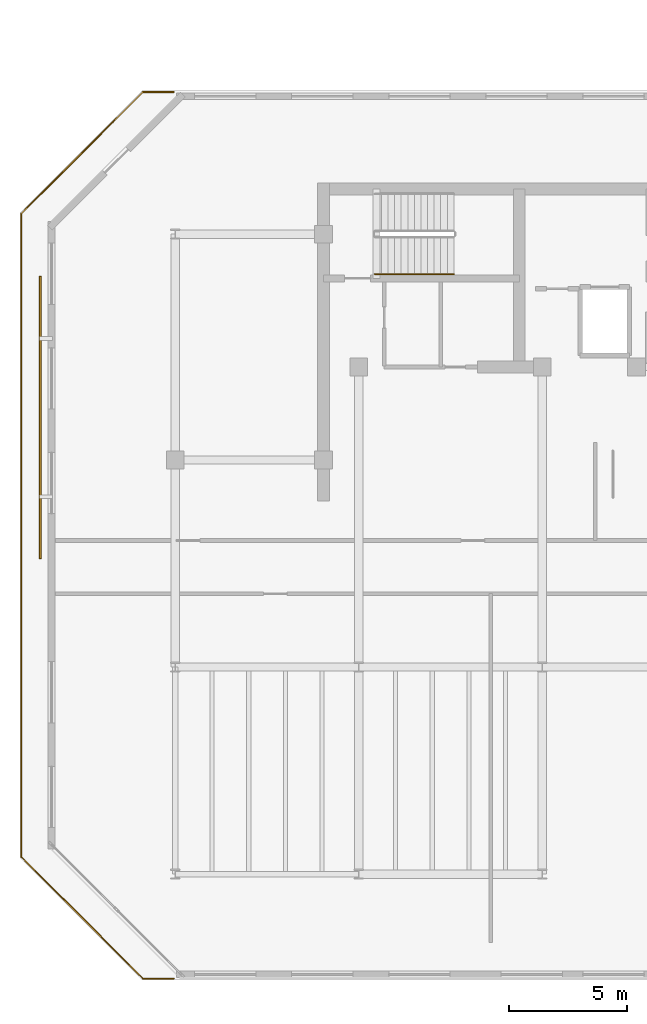
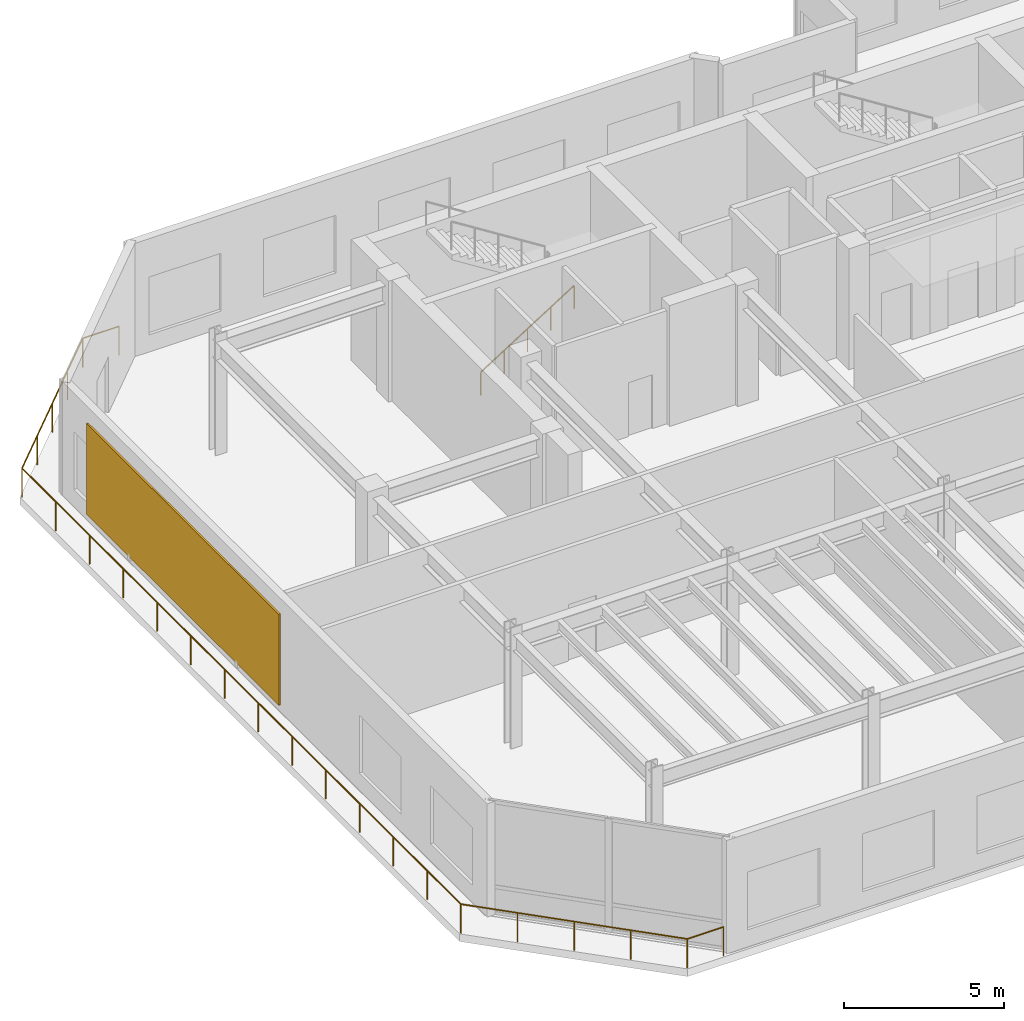
# One storey, part 10 of 12: 2 railings, 1 shading device.
"""IFC4 building model written with IfcOpenShell, lengths in metres."""

import ifcopenshell
import ifcopenshell.guid

model = None  # the IFC model being written
_history = None  # IfcOwnerHistory: only IFC2X3 demands one
_inside = {}  # id of a spatial element -> (the spatial element, [elements in it])
_under = {}  # id of a project, library or spatial element -> (it, [spatial elements below it])
_declared = {}  # id of a project -> (the project, [libraries it declares])
_typed = {}  # id of a type object -> (the type object, [elements of that type])
_made_of = {}  # id of a material, layer set ... -> (it, [elements and type objects made of it])


def new_model(schema):
    """Start an empty IFC model of exactly this schema.

    Asked for "IFC4X3", IfcOpenShell would pick the latest addendum, in which some entities
    have other attributes; the version numbers below select the first issue.
    IFC2X3 requires an IfcOwnerHistory on every rooted entity: one is made here for all.
    """
    global model, _history
    if schema == "IFC4X3":
        model = ifcopenshell.file(schema_version=(4, 3, 0, 0))
    else:
        model = ifcopenshell.file(schema=schema)
    _inside.clear()
    _under.clear()
    _declared.clear()
    _typed.clear()
    _made_of.clear()
    _history = None
    if model.schema == "IFC2X3":
        org = make("IfcOrganization", Name="unknown")
        user = make(
            "IfcPersonAndOrganization",
            ThePerson=make("IfcPerson", FamilyName="unknown"),
            TheOrganization=org,
        )
        app = make(
            "IfcApplication",
            ApplicationDeveloper=org,
            Version="unknown",
            ApplicationFullName="unknown",
            ApplicationIdentifier="unknown",
        )
        _history = make(
            "IfcOwnerHistory",
            OwningUser=user,
            OwningApplication=app,
            ChangeAction="ADDED",
            CreationDate=0,
        )
    return model


def make(cls, **values):
    """One entity of the class cls with the attributes given. An attribute that is None is left unset."""
    return model.create_entity(
        cls, **{name: value for name, value in values.items() if value is not None}
    )


def rooted(cls, **values):
    """An entity with a GlobalId (a new one), such as an element, a storey or a relation."""
    return make(cls, GlobalId=ifcopenshell.guid.new(), OwnerHistory=_history, **values)


def si_unit(unit_type, name, prefix=None):
    """IfcSIUnit, for example si_unit("LENGTHUNIT", "METRE", prefix="MILLI")."""
    return make("IfcSIUnit", UnitType=unit_type, Prefix=prefix, Name=name)


def assignment(units):
    """IfcUnitAssignment: the units of a project."""
    return None if units is None else make("IfcUnitAssignment", Units=units)


def point(xyz):
    """IfcCartesianPoint."""
    return None if xyz is None else make("IfcCartesianPoint", Coordinates=xyz)


def direction(xyz):
    """IfcDirection."""
    return None if xyz is None else make("IfcDirection", DirectionRatios=xyz)


def frame(location, z_axis=None, x_axis=None):
    """IfcAxis2Placement3D, a coordinate frame: its origin and axes. An axis left out is left unset."""
    return make(
        "IfcAxis2Placement3D",
        Location=point(location),
        Axis=direction(z_axis),
        RefDirection=direction(x_axis),
    )


def frame_2d(location, x_axis=None):
    """IfcAxis2Placement2D, a coordinate frame in the plane: its origin and x axis."""
    return make(
        "IfcAxis2Placement2D", Location=point(location), RefDirection=direction(x_axis)
    )


def origin():
    """The frame at (0, 0, 0) with its axes left unset."""
    return frame((0.0, 0.0, 0.0))


def origin_2d():
    """The frame at (0, 0) in the plane with its x axis left unset."""
    return frame_2d((0.0, 0.0))


def place(relative_to, where):
    """IfcLocalPlacement: puts the frame where relative to a parent placement (None: the world)."""
    return make(
        "IfcLocalPlacement", PlacementRelTo=relative_to, RelativePlacement=where
    )


def context(
    kind, dimensions, precision=None, world=None, true_north=None, identifier=None
):
    """IfcGeometricRepresentationContext, for example the 3D "Model" context."""
    return make(
        "IfcGeometricRepresentationContext",
        ContextIdentifier=identifier,
        ContextType=kind,
        CoordinateSpaceDimension=dimensions,
        Precision=precision,
        WorldCoordinateSystem=world,
        TrueNorth=true_north,
    )


def subcontext(parent, identifier, kind, view, scale=None):
    """IfcGeometricRepresentationSubContext, for example "Body" below "Model"."""
    return make(
        "IfcGeometricRepresentationSubContext",
        ContextIdentifier=identifier,
        ContextType=kind,
        ParentContext=parent,
        TargetScale=scale,
        TargetView=view,
    )


def project(units=None, contexts=None):
    """IfcProject with its units and contexts."""
    return rooted(
        "IfcProject",
        Name="project",
        RepresentationContexts=contexts,
        UnitsInContext=assignment(units),
    )


def spatial(cls, under=None, at=None, **own):
    """A site, building, storey or space (cls), placed at a placement, below another one or the project."""
    s = rooted(cls, ObjectPlacement=at, **own)
    if under is not None:
        _under.setdefault(under.id(), (under, []))[1].append(s)
    return s


def profile(cls, at=None, kind="AREA", **sizes):
    """A parametric profile (cls). Its sizes go by their IFC names, for example OverallWidth=200.0."""
    return make(cls, ProfileType=kind, Position=at, **sizes)


def rectangle(**sizes):
    """IfcRectangleProfileDef."""
    return profile("IfcRectangleProfileDef", **sizes)


def circle(**sizes):
    """IfcCircleProfileDef."""
    return profile("IfcCircleProfileDef", **sizes)


def extrude(swept, where, along, depth):
    """IfcExtrudedAreaSolid: the profile swept, set in the frame where, extruded along a direction by depth."""
    return make(
        "IfcExtrudedAreaSolid",
        SweptArea=swept,
        Position=where,
        ExtrudedDirection=direction(along),
        Depth=depth,
    )


def shape(context_of_items, identifier, shape_type, items):
    """IfcShapeRepresentation: the items that make up one representation, for example the "Body"."""
    return make(
        "IfcShapeRepresentation",
        ContextOfItems=context_of_items,
        RepresentationIdentifier=identifier,
        RepresentationType=shape_type,
        Items=items,
    )


def material(Name=None, Category=None):
    """IfcMaterial."""
    return make("IfcMaterial", Name=Name, Category=Category)


def layer(
    of_material, thickness, ventilated=None, Name=None, Category=None, Priority=None
):
    """IfcMaterialLayer: one layer of a wall or slab, of a material (None: an air gap)."""
    return make(
        "IfcMaterialLayer",
        Material=of_material,
        LayerThickness=thickness,
        IsVentilated=ventilated,
        Name=Name,
        Category=Category,
        Priority=Priority,
    )


def layer_set(layers, Name=None):
    """IfcMaterialLayerSet."""
    return make("IfcMaterialLayerSet", MaterialLayers=layers, LayerSetName=Name)


def made_of(thing, what):
    """Note that an element or type object is made of a material, layer set ...; save() writes the relation."""
    if what is not None:
        _made_of.setdefault(what.id(), (what, []))[1].append(thing)
    return thing


def type_object(cls, material=None, **own):
    """A type object (cls), such as IfcWallType, which elements share."""
    return made_of(rooted(cls, **own), material)


def element(
    cls,
    number,
    at=None,
    inside=None,
    cuts=None,
    type_object=None,
    material=None,
    context=None,
    identifier="Body",
    shape_type=None,
    held_by="IfcProductDefinitionShape",
    body=None,
    shapes=None,
    **own,
):
    """One element of the class cls, such as IfcWall. Its Tag is "e" and its number.

    at: its placement. inside: the storey or other place that contains it. cuts: it is an
    opening in that element (IfcRelVoidsElement). A single representation is given by context,
    identifier, shape_type and body (its items); several are given by shapes. held_by: the class
    of the entity that holds the representations. save() writes the other relations.
    """
    e = rooted(cls, Tag="e%d" % number, ObjectPlacement=at, **own)
    if body is not None:
        shapes = [shape(context, identifier, shape_type, body)]
    if shapes is not None:
        e.Representation = make(held_by, Representations=shapes)
    if inside is not None:
        _inside.setdefault(inside.id(), (inside, []))[1].append(e)
    if cuts is not None:
        rooted(
            "IfcRelVoidsElement", RelatingBuildingElement=cuts, RelatedOpeningElement=e
        )
    if type_object is not None:
        _typed.setdefault(type_object.id(), (type_object, []))[1].append(e)
    return made_of(e, material)


def aggregate(whole, parts):
    """IfcRelAggregates: a whole, such as a stair, and the parts it consists of."""
    return rooted("IfcRelAggregates", RelatingObject=whole, RelatedObjects=parts)


def save(model, path):
    """Write the relations noted so far, then the file.

    IfcRelAggregates (storeys below a building ...), IfcRelContainedInSpatialStructure (elements
    in a storey), IfcRelDefinesByType, IfcRelAssociatesMaterial and IfcRelDeclares: one each for
    every whole, place, type object, material and project.
    """
    for whole, parts in _under.values():
        aggregate(whole, parts)
    for where, things in _inside.values():
        rooted(
            "IfcRelContainedInSpatialStructure",
            RelatedElements=things,
            RelatingStructure=where,
        )
    for kind, things in _typed.values():
        rooted("IfcRelDefinesByType", RelatedObjects=things, RelatingType=kind)
    for what, things in _made_of.values():
        rooted("IfcRelAssociatesMaterial", RelatedObjects=things, RelatingMaterial=what)
    for by, libraries in _declared.values():
        rooted("IfcRelDeclares", RelatingContext=by, RelatedDefinitions=libraries)
    model.write(path)


model = new_model("IFC4")

# Units and contexts
model_context = context("Model", 3, precision=1e-05, world=origin(), true_north=direction((0.0, 1.0)))
body_context = subcontext(model_context, "Body", "Model", "MODEL_VIEW")
ifc_project = project(units=[si_unit("LENGTHUNIT", "METRE"), si_unit("AREAUNIT", "SQUARE_METRE"), si_unit("VOLUMEUNIT", "CUBIC_METRE"), si_unit("PLANEANGLEUNIT", "RADIAN"), si_unit("MASSUNIT", "GRAM", prefix="KILO")], contexts=[model_context])

# Site, building, storey
site_placement = place(None, origin())
site = spatial("IfcSite", under=ifc_project, at=site_placement, CompositionType="ELEMENT")
building_placement = place(site_placement, origin())
building = spatial("IfcBuilding", under=site, at=building_placement, Name="Kestravale Grand Hotel", CompositionType="ELEMENT")
storey_placement = place(building_placement, frame((0.0, 0.0, 302.0)))
storey = spatial("IfcBuildingStorey", under=building, at=storey_placement, Name="L75", CompositionType="ELEMENT", Elevation=302.0)

# Railings
ifc_material_1 = material(Name="Champagne-bronze stainless steel and laminated glass guard", Category="steel")
railing_type_1 = type_object("IfcRailingType", Name="RL-EXT-1100", PredefinedType="GUARDRAIL", material=ifc_material_1)
railing_1_placement = place(storey_placement, frame((15.52880859375, 6.760009765625, 0.0)))
element("IfcRailing", 1, at=railing_1_placement, inside=storey, type_object=railing_type_1, Name="L75 outdoor terrace guard 1", PredefinedType="GUARDRAIL", context=body_context, shape_type="SweptSolid", body=[
    extrude(circle(Radius=0.02392578125, at=origin_2d()), frame((0.0, 0.0, 1.09619140625), z_axis=(-1.0, 0.0, 0.0), x_axis=(0.0, -1.0, 0.0)), (0.0, 0.0, 1.0), 1.303955078125),
    extrude(circle(Radius=0.02392578125, at=origin_2d()), frame((-1.303955078125, 0.0, 1.09619140625), z_axis=(-0.707106781187, 0.707106781187, 0.0), x_axis=(-0.707106781187, -0.707106781187, 0.0)), (0.0, 0.0, 1.0), 7.30419921875),
    extrude(circle(Radius=0.02392578125, at=origin_2d()), frame((-6.46875, 5.164794921875, 1.09619140625), z_axis=(0.0, 1.0, 0.0), x_axis=(-1.0, 0.0, 0.0)), (0.0, 0.0, 1.0), 27.350341796875),
    extrude(circle(Radius=0.02392578125, at=origin_2d()), frame((-6.46875, 32.51513671875, 1.09619140625), z_axis=(0.707106781187, 0.707106781187, 0.0), x_axis=(-0.707106781187, 0.707106781187, 0.0)), (0.0, 0.0, 1.0), 7.30419921875),
    extrude(circle(Radius=0.02392578125, at=origin_2d()), frame((-1.303955078125, 37.679931640625, 1.09619140625), z_axis=(1.0, 0.0, 0.0), x_axis=(0.0, 1.0, 0.0)), (0.0, 0.0, 1.0), 1.303955078125),
    extrude(circle(Radius=0.02099609375, at=origin_2d()), origin(), (0.0, 0.0, 1.0), 1.072021484375),
    extrude(circle(Radius=0.02099609375, at=origin_2d()), frame((-1.303955078125, 0.0, 0.0)), (0.0, 0.0, 1.0), 1.072021484375),
    extrude(circle(Radius=0.02099609375, at=origin_2d()), frame((-2.59521484375, 1.291259765625, 0.0)), (0.0, 0.0, 1.0), 1.072021484375),
    extrude(circle(Radius=0.02099609375, at=origin_2d()), frame((-3.88623046875, 2.58251953125, 0.0)), (0.0, 0.0, 1.0), 1.072021484375),
    extrude(circle(Radius=0.02099609375, at=origin_2d()), frame((-5.177490234375, 3.87353515625, 0.0)), (0.0, 0.0, 1.0), 1.072021484375),
    extrude(circle(Radius=0.02099609375, at=origin_2d()), frame((-6.46875, 5.164794921875, 0.0)), (0.0, 0.0, 1.0), 1.072021484375),
    extrude(circle(Radius=0.02099609375, at=origin_2d()), frame((-6.46875, 7.2685546875, 0.0)), (0.0, 0.0, 1.0), 1.072021484375),
    extrude(circle(Radius=0.02099609375, at=origin_2d()), frame((-6.46875, 9.37255859375, 0.0)), (0.0, 0.0, 1.0), 1.072021484375),
    extrude(circle(Radius=0.02099609375, at=origin_2d()), frame((-6.46875, 11.476318359375, 0.0)), (0.0, 0.0, 1.0), 1.072021484375),
    extrude(circle(Radius=0.02099609375, at=origin_2d()), frame((-6.46875, 13.580322265625, 0.0)), (0.0, 0.0, 1.0), 1.072021484375),
    extrude(circle(Radius=0.02099609375, at=origin_2d()), frame((-6.46875, 15.68408203125, 0.0)), (0.0, 0.0, 1.0), 1.072021484375),
    extrude(circle(Radius=0.02099609375, at=origin_2d()), frame((-6.46875, 17.7880859375, 0.0)), (0.0, 0.0, 1.0), 1.072021484375),
    extrude(circle(Radius=0.02099609375, at=origin_2d()), frame((-6.46875, 19.891845703125, 0.0)), (0.0, 0.0, 1.0), 1.072021484375),
    extrude(circle(Radius=0.02099609375, at=origin_2d()), frame((-6.46875, 21.995849609375, 0.0)), (0.0, 0.0, 1.0), 1.072021484375),
    extrude(circle(Radius=0.02099609375, at=origin_2d()), frame((-6.46875, 24.099609375, 0.0)), (0.0, 0.0, 1.0), 1.072021484375),
    extrude(circle(Radius=0.02099609375, at=origin_2d()), frame((-6.46875, 26.20361328125, 0.0)), (0.0, 0.0, 1.0), 1.072021484375),
    extrude(circle(Radius=0.02099609375, at=origin_2d()), frame((-6.46875, 28.307373046875, 0.0)), (0.0, 0.0, 1.0), 1.072021484375),
    extrude(circle(Radius=0.02099609375, at=origin_2d()), frame((-6.46875, 30.411376953125, 0.0)), (0.0, 0.0, 1.0), 1.072021484375),
    extrude(circle(Radius=0.02099609375, at=origin_2d()), frame((-6.46875, 32.51513671875, 0.0)), (0.0, 0.0, 1.0), 1.072021484375),
    extrude(circle(Radius=0.02099609375, at=origin_2d()), frame((-5.177490234375, 33.806396484375, 0.0)), (0.0, 0.0, 1.0), 1.072021484375),
    extrude(circle(Radius=0.02099609375, at=origin_2d()), frame((-3.88623046875, 35.09765625, 0.0)), (0.0, 0.0, 1.0), 1.072021484375),
    extrude(circle(Radius=0.02099609375, at=origin_2d()), frame((-2.59521484375, 36.388671875, 0.0)), (0.0, 0.0, 1.0), 1.072021484375),
    extrude(circle(Radius=0.02099609375, at=origin_2d()), frame((-1.303955078125, 37.679931640625, 0.0)), (0.0, 0.0, 1.0), 1.072021484375),
    extrude(circle(Radius=0.02099609375, at=origin_2d()), frame((0.0, 37.679931640625, 0.0)), (0.0, 0.0, 1.0), 1.072021484375),
])
ifc_material_2 = material(Name="Brushed stainless steel wall handrail", Category="steel")
railing_type_2 = type_object("IfcRailingType", Name="RL-ST-HND900", PredefinedType="HANDRAIL", material=ifc_material_2)
railing_2_placement = place(storey_placement, frame((24.080078125, 36.699951171875, 0.177001953125)))
element("IfcRailing", 2, at=railing_2_placement, inside=storey, type_object=railing_type_2, Name="L75 ST-1 stair handrail 1", PredefinedType="HANDRAIL", context=body_context, shape_type="SweptSolid", body=[
    extrude(circle(Radius=0.02392578125, at=origin_2d()), frame((0.0, 0.0, 0.8759765625), z_axis=(0.845372108799, 0.0, 0.534177870812), x_axis=(0.0, 1.0, 0.0)), (0.0, 0.0, 1.0), 3.974365234375),
    extrude(circle(Radius=0.02099609375, at=origin_2d()), origin(), (0.0, 0.0, 1.0), 0.851806640625),
    extrude(circle(Radius=0.02099609375, at=origin_2d()), frame((0.83984375, 0.0, 0.53076171875)), (0.0, 0.0, 1.0), 0.851806640625),
    extrude(circle(Radius=0.02099609375, at=origin_2d()), frame((1.679931640625, 0.0, 1.0615234375)), (0.0, 0.0, 1.0), 0.851806640625),
    extrude(circle(Radius=0.02099609375, at=origin_2d()), frame((2.52001953125, 0.0, 1.59228515625)), (0.0, 0.0, 1.0), 0.851806640625),
    extrude(circle(Radius=0.02099609375, at=origin_2d()), frame((3.35986328125, 0.0, 2.123046875)), (0.0, 0.0, 1.0), 0.851806640625),
])

# Shading device
ifc_material_3 = material(Name="Perforated champagne-bronze aluminium and ceramic solar screen", Category="aluminium")
ifc_layer = layer(ifc_material_3, 0.06494140625)
ifc_layer_set = layer_set([ifc_layer], Name="SHD-SCR-CHEV")
shading_device_type = type_object("IfcShadingDeviceType", Name="SHD-SCR-CHEV", PredefinedType="USERDEFINED", material=ifc_layer_set)
shading_device_placement = place(storey_placement, frame((9.860107421875, 30.60009765625, 0.699951171875), z_axis=(0.0, 0.0, 1.0), x_axis=(0.0, -1.0, 0.0)))
element("IfcShadingDevice", 3, at=shading_device_placement, inside=storey, type_object=shading_device_type, Name="L75 Perforated bronze ceramic chevron solar screen SCR-L75-19", ObjectType="SCREEN", PredefinedType="USERDEFINED", context=body_context, shape_type="SweptSolid", body=[
    extrude(rectangle(XDim=12.0, YDim=0.06494140625, at=origin_2d()), origin(), (0.0, 0.0, 1.0), 3.4599609375),
])

save(model, "model.ifc")
